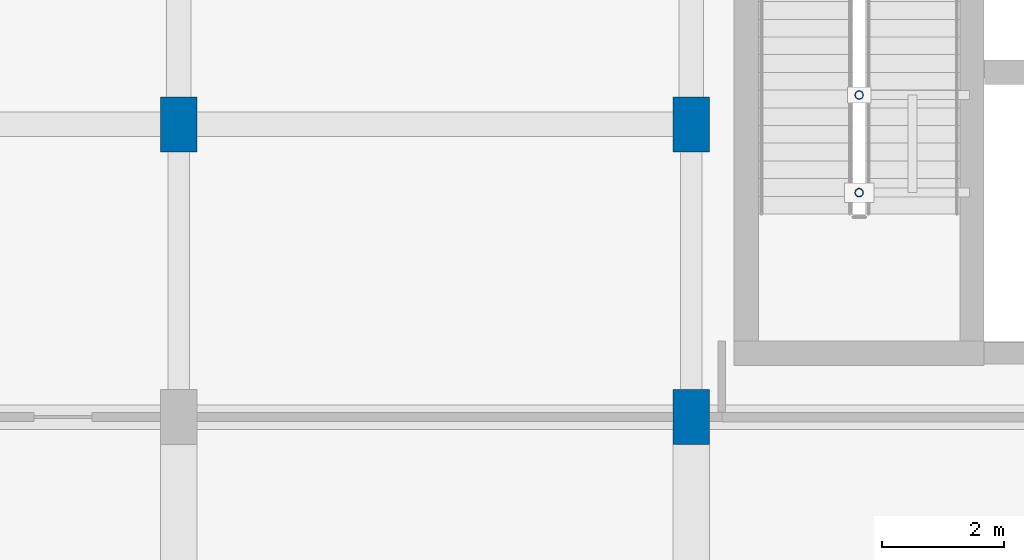
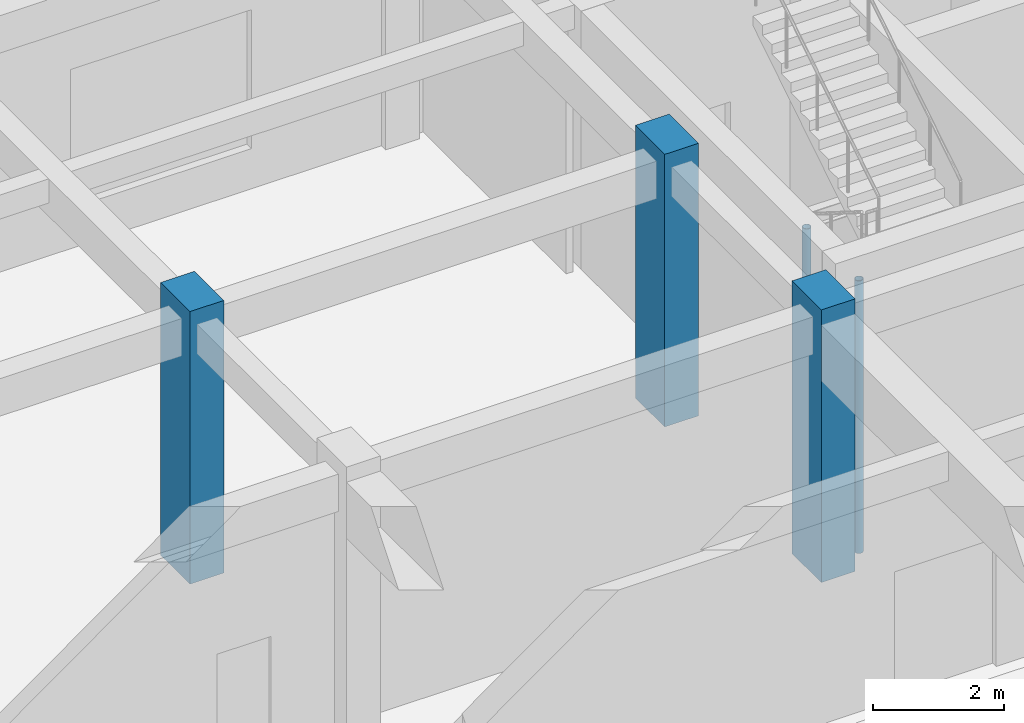
# One storey, part 3 of 93: 5 columns.
"""IFC4 building model written with IfcOpenShell, lengths in metres."""

from ifc_helpers import new_model, si_unit, direction, frame, origin, origin_2d, place, context, subcontext, project, spatial, rectangle, hollow_circle, extrude, material, material_profile, profile_set, type_object, element, save


model = new_model("IFC4")

# Units and contexts
model_context = context("Model", 3, precision=1e-05, world=origin(), true_north=direction((0.0, 1.0)))
body_context = subcontext(model_context, "Body", "Model", "MODEL_VIEW")
ifc_project = project(units=[si_unit("LENGTHUNIT", "METRE"), si_unit("AREAUNIT", "SQUARE_METRE"), si_unit("VOLUMEUNIT", "CUBIC_METRE"), si_unit("PLANEANGLEUNIT", "RADIAN"), si_unit("MASSUNIT", "GRAM", prefix="KILO")], contexts=[model_context])

# Site, building, storey
site_placement = place(None, origin())
site = spatial("IfcSite", under=ifc_project, at=site_placement, CompositionType="ELEMENT")
building_placement = place(site_placement, origin())
building = spatial("IfcBuilding", under=site, at=building_placement, Name="Krzemoval Escarpment Law Courts", CompositionType="ELEMENT")
storey_placement = place(building_placement, frame((0.0, 0.0, 10.199951171875)))
storey = spatial("IfcBuildingStorey", under=building, at=storey_placement, Name="L02", CompositionType="ELEMENT", Elevation=10.199951171875)

# Columns
ifc_material_1 = material(Name="Concrete C50/60", Category="concrete")
ifc_material_profile_1 = material_profile(ifc_material_1, rectangle(XDim=0.60009765625, YDim=0.89990234375, at=origin_2d()), Name="RC 600x900")
ifc_profile_set_1 = profile_set([ifc_material_profile_1], Name="Concrete C50/60")
column_type_1 = type_object("IfcColumnType", Name="COL-RC-600x900", PredefinedType="COLUMN", material=ifc_profile_set_1)
for number, where, z_axis, x_axis, name in (
    (1, (50.39990234375, 27.0, 0.0), (0.0, 0.0, 1.0), (1.0, 0.0, 0.0), "Column FC-L02-0887"),
    (2, (58.800048828125, 22.199951171875, 0.0), (0.0, 0.0, 1.0), (1.0, 0.0, 0.0), "Column FC-L02-0891"),
    (3, (58.800048828125, 27.0, 0.0), (0.0, 0.0, 1.0), (1.0, 0.0, 0.0), "Column FC-L02-0892"),
):
    element("IfcColumn", number, at=place(storey_placement, frame(where, z_axis=z_axis, x_axis=x_axis)), inside=storey, type_object=column_type_1, Name=name, PredefinedType="COLUMN", context=body_context, shape_type="SweptSolid", body=[
        extrude(rectangle(XDim=0.60009765625, YDim=0.89990234375, at=origin_2d()), origin(), (0.0, 0.0, 1.0), 5.10009765625),
    ])
ifc_material_2 = material(Name="Steel S355", Category="steel")
ifc_material_profile_2 = material_profile(ifc_material_2, hollow_circle(Radius=0.06982421875, WallThickness=0.008056640625, at=origin_2d()), Name="CHS 139.7x8")
ifc_profile_set_2 = profile_set([ifc_material_profile_2], Name="Steel S355")
column_type_2 = type_object("IfcColumnType", Name="COL-S355-CHS140", PredefinedType="COLUMN", material=ifc_profile_set_2)
for number, where, z_axis, x_axis, name in (
    (4, (61.550048828125, 25.8798828125, -2.97998046875), (0.0, 0.0, 1.0), (1.0, 0.0, 0.0), "Stair Well Post SCP-C4-L02-1"),
    (5, (61.550048828125, 27.47998046875, -2.97998046875), (0.0, 0.0, 1.0), (1.0, 0.0, 0.0), "Stair Well Post SCP-C4-L02-2"),
):
    element("IfcColumn", number, at=place(storey_placement, frame(where, z_axis=z_axis, x_axis=x_axis)), inside=storey, type_object=column_type_2, Name=name, PredefinedType="COLUMN", context=body_context, shape_type="SweptSolid", body=[
        extrude(hollow_circle(Radius=0.06982421875, WallThickness=0.008056640625, at=origin_2d()), origin(), (0.0, 0.0, 1.0), 5.10009765625),
    ])

save(model, "model.ifc")
